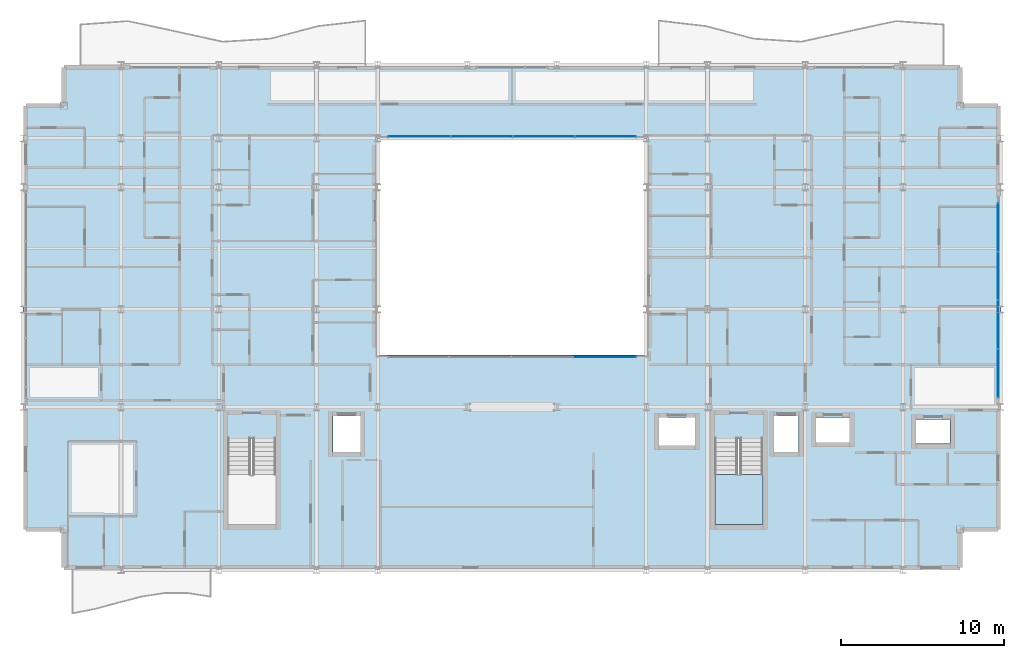
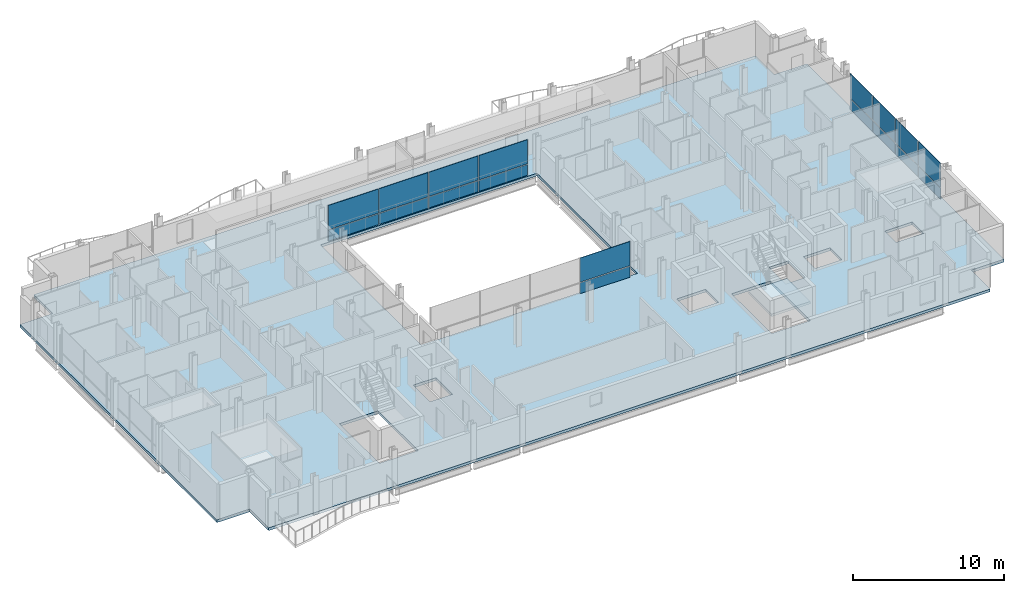
# One storey, part 27 of 41: 18 plates, 2 slabs, 4 elements without a shape of their own.
"""IFC4 building model written with IfcOpenShell, lengths in metres."""

from ifc_helpers import new_model, si_unit, direction, frame, origin, origin_2d, place, context, subcontext, project, spatial, polyline, rectangle, outline, extrude, material, layer, layer_set, type_object, element, aggregate, save


model = new_model("IFC4")

# Units and contexts
model_context = context("Model", 3, precision=1e-05, world=origin(), true_north=direction((0.0, 1.0)))
body_context = subcontext(model_context, "Body", "Model", "MODEL_VIEW")
ifc_project = project(units=[si_unit("LENGTHUNIT", "METRE"), si_unit("AREAUNIT", "SQUARE_METRE"), si_unit("VOLUMEUNIT", "CUBIC_METRE"), si_unit("PLANEANGLEUNIT", "RADIAN"), si_unit("MASSUNIT", "GRAM", prefix="KILO")], contexts=[model_context])

# Site, building, storey
site_placement = place(None, origin())
site = spatial("IfcSite", under=ifc_project, at=site_placement, CompositionType="ELEMENT")
building_placement = place(site_placement, origin())
building = spatial("IfcBuilding", under=site, at=building_placement, Name="Brevholm Reach", CompositionType="ELEMENT")
storey_placement = place(building_placement, frame((0.0, 0.0, 100.39990234375)))
storey = spatial("IfcBuildingStorey", under=building, at=storey_placement, Name="L29", CompositionType="ELEMENT", Elevation=100.39990234375)

# Curtain wall, plates
ifc_material_1 = material(Name="Dark Anodised Aluminium 6063-T6 and Solar-Control Glass", Category="aluminium")
ifc_layer_1 = layer(ifc_material_1, 0.14990234375)
ifc_layer_set_1 = layer_set([ifc_layer_1], Name="Dark Anodised Aluminium 6063-T6 and Solar-Control Glass")
curtain_wall_type_1 = type_object("IfcCurtainWallType", Name="CW-01", PredefinedType="NOTDEFINED", material=ifc_layer_set_1)
curtain_wall_1_placement = place(storey_placement, origin())
curtain_wall_1 = element("IfcCurtainWall", 1, at=curtain_wall_1_placement, inside=storey, type_object=curtain_wall_type_1, Name="L29 Curtain Wall CW-01", PredefinedType="NOTDEFINED")
ifc_material_2 = material(Name="Dark Solar-Control Double-Glazed IGU Glass", Category="glass")
ifc_layer_2 = layer(ifc_material_2, 0.028076171875)
ifc_layer_set_2 = layer_set([ifc_layer_2], Name="Dark Solar-Control Double-Glazed IGU Glass")
plate_type_1 = type_object("IfcPlateType", Name="CWP-GLZ-28", PredefinedType="CURTAIN_PANEL", material=ifc_layer_set_2)
plate_1_placement = place(storey_placement, frame((59.85009765625, 12.066162109375, 0.0), z_axis=(0.0, 0.0, 1.0), x_axis=(0.0, 1.0, 0.0)))
plate_1 = element("IfcPlate", 2, at=plate_1_placement, type_object=plate_type_1, Name="CP-01 Glazing Panel 1.1", PredefinedType="CURTAIN_PANEL", context=body_context, shape_type="SweptSolid", body=[
    extrude(rectangle(XDim=2.902587890625, YDim=0.028076171875, at=origin_2d()), origin(), (0.0, 0.0, 1.0), 0.867431640625),
])
plate_2_placement = place(storey_placement, frame((59.85009765625, 12.066162109375, 0.9326171875), z_axis=(0.0, 0.0, 1.0), x_axis=(0.0, 1.0, 0.0)))
plate_2 = element("IfcPlate", 3, at=plate_2_placement, type_object=plate_type_1, Name="CP-01 Glazing Panel 1.2", PredefinedType="CURTAIN_PANEL", context=body_context, shape_type="SweptSolid", body=[
    extrude(rectangle(XDim=2.902587890625, YDim=0.028076171875, at=origin_2d()), origin(), (0.0, 0.0, 1.0), 1.947509765625),
])
plate_3_placement = place(storey_placement, frame((59.85009765625, 15.050048828125, 0.0), z_axis=(0.0, 0.0, 1.0), x_axis=(0.0, 1.0, 0.0)))
plate_3 = element("IfcPlate", 4, at=plate_3_placement, type_object=plate_type_1, Name="CP-01 Glazing Panel 2.1", PredefinedType="CURTAIN_PANEL", context=body_context, shape_type="SweptSolid", body=[
    extrude(rectangle(XDim=2.93505859375, YDim=0.028076171875, at=origin_2d()), origin(), (0.0, 0.0, 1.0), 0.867431640625),
])
plate_4_placement = place(storey_placement, frame((59.85009765625, 15.050048828125, 0.9326171875), z_axis=(0.0, 0.0, 1.0), x_axis=(0.0, 1.0, 0.0)))
plate_4 = element("IfcPlate", 5, at=plate_4_placement, type_object=plate_type_1, Name="CP-01 Glazing Panel 2.2", PredefinedType="CURTAIN_PANEL", context=body_context, shape_type="SweptSolid", body=[
    extrude(rectangle(XDim=2.93505859375, YDim=0.028076171875, at=origin_2d()), origin(), (0.0, 0.0, 1.0), 1.947509765625),
])
plate_5_placement = place(storey_placement, frame((59.85009765625, 18.050048828125, 0.0), z_axis=(0.0, 0.0, 1.0), x_axis=(0.0, 1.0, 0.0)))
plate_5 = element("IfcPlate", 6, at=plate_5_placement, type_object=plate_type_1, Name="CP-01 Glazing Panel 3.1", PredefinedType="CURTAIN_PANEL", context=body_context, shape_type="SweptSolid", body=[
    extrude(rectangle(XDim=2.93505859375, YDim=0.028076171875, at=origin_2d()), origin(), (0.0, 0.0, 1.0), 0.867431640625),
])
plate_6_placement = place(storey_placement, frame((59.85009765625, 18.050048828125, 0.9326171875), z_axis=(0.0, 0.0, 1.0), x_axis=(0.0, 1.0, 0.0)))
plate_6 = element("IfcPlate", 7, at=plate_6_placement, type_object=plate_type_1, Name="CP-01 Glazing Panel 3.2", PredefinedType="CURTAIN_PANEL", context=body_context, shape_type="SweptSolid", body=[
    extrude(rectangle(XDim=2.93505859375, YDim=0.028076171875, at=origin_2d()), origin(), (0.0, 0.0, 1.0), 1.947509765625),
])
plate_7_placement = place(storey_placement, frame((59.85009765625, 21.050048828125, 0.0), z_axis=(0.0, 0.0, 1.0), x_axis=(0.0, 1.0, 0.0)))
plate_7 = element("IfcPlate", 8, at=plate_7_placement, type_object=plate_type_1, Name="CP-01 Glazing Panel 4.1", PredefinedType="CURTAIN_PANEL", context=body_context, shape_type="SweptSolid", body=[
    extrude(rectangle(XDim=2.93505859375, YDim=0.028076171875, at=origin_2d()), origin(), (0.0, 0.0, 1.0), 0.867431640625),
])
plate_8_placement = place(storey_placement, frame((59.85009765625, 21.050048828125, 0.9326171875), z_axis=(0.0, 0.0, 1.0), x_axis=(0.0, 1.0, 0.0)))
plate_8 = element("IfcPlate", 9, at=plate_8_placement, type_object=plate_type_1, Name="CP-01 Glazing Panel 4.2", PredefinedType="CURTAIN_PANEL", context=body_context, shape_type="SweptSolid", body=[
    extrude(rectangle(XDim=2.93505859375, YDim=0.028076171875, at=origin_2d()), origin(), (0.0, 0.0, 1.0), 1.947509765625),
])
aggregate(curtain_wall_1, [plate_1, plate_2, plate_3, plate_4, plate_5, plate_6, plate_7, plate_8])

ifc_material_3 = material(Name="Dark Anodised Aluminium 6063-T6 and Solar-Control Glass", Category="aluminium")
ifc_layer_3 = layer(ifc_material_3, 0.139892578125)
ifc_layer_set_3 = layer_set([ifc_layer_3], Name="Dark Anodised Aluminium 6063-T6 and Solar-Control Glass")
curtain_wall_type_2 = type_object("IfcCurtainWallType", Name="CW-02", PredefinedType="NOTDEFINED", material=ifc_layer_set_3)
curtain_wall_2_placement = place(storey_placement, origin())
curtain_wall_2 = element("IfcCurtainWall", 10, at=curtain_wall_2_placement, inside=storey, type_object=curtain_wall_type_2, Name="L29 Curtain Wall CW-02", PredefinedType="NOTDEFINED")
ifc_material_4 = material(Name="Low-Iron Laminated Acoustic Glass", Category="glass")
ifc_layer_4 = layer(ifc_material_4, 0.035888671875)
ifc_layer_set_4 = layer_set([ifc_layer_4], Name="Low-Iron Laminated Acoustic Glass")
plate_type_2 = type_object("IfcPlateType", Name="CWP-GLZ-36", PredefinedType="CURTAIN_PANEL", material=ifc_layer_set_4)
plate_9_placement = place(storey_placement, frame((35.68505859375, 13.080078125, 0.0), z_axis=(0.0, 0.0, 1.0), x_axis=(1.0, 0.0, 0.0)))
plate_9 = element("IfcPlate", 11, at=plate_9_placement, type_object=plate_type_2, Name="CP-02 Glazing Panel 4.1", PredefinedType="CURTAIN_PANEL", context=body_context, shape_type="SweptSolid", body=[
    extrude(rectangle(XDim=3.81005859375, YDim=0.035888671875, at=origin_2d()), origin(), (0.0, 0.0, 1.0), 0.8701171875),
])
plate_10_placement = place(storey_placement, frame((35.68505859375, 13.080078125, 0.93017578125), z_axis=(0.0, 0.0, 1.0), x_axis=(1.0, 0.0, 0.0)))
plate_10 = element("IfcPlate", 12, at=plate_10_placement, type_object=plate_type_2, Name="CP-02 Glazing Panel 4.2", PredefinedType="CURTAIN_PANEL", context=body_context, shape_type="SweptSolid", body=[
    extrude(rectangle(XDim=3.81005859375, YDim=0.035888671875, at=origin_2d()), origin(), (0.0, 0.0, 1.0), 1.949951171875),
])
aggregate(curtain_wall_2, [plate_9, plate_10])

curtain_wall_3_placement = place(storey_placement, origin())
curtain_wall_3 = element("IfcCurtainWall", 13, at=curtain_wall_3_placement, inside=storey, type_object=curtain_wall_type_2, Name="L29 Curtain Wall CW-02", PredefinedType="NOTDEFINED")
plate_11_placement = place(storey_placement, frame((35.735107421875, 26.6201171875, 0.0), z_axis=(0.0, 0.0, 1.0), x_axis=(-1.0, 0.0, 0.0)))
plate_11 = element("IfcPlate", 14, at=plate_11_placement, type_object=plate_type_2, Name="CP-02 Glazing Panel 1.1", PredefinedType="CURTAIN_PANEL", context=body_context, shape_type="SweptSolid", body=[
    extrude(rectangle(XDim=3.7099609375, YDim=0.035888671875, at=origin_2d()), origin(), (0.0, 0.0, 1.0), 0.8701171875),
])
plate_12_placement = place(storey_placement, frame((35.735107421875, 26.6201171875, 0.93017578125), z_axis=(0.0, 0.0, 1.0), x_axis=(-1.0, 0.0, 0.0)))
plate_12 = element("IfcPlate", 15, at=plate_12_placement, type_object=plate_type_2, Name="CP-02 Glazing Panel 1.2", PredefinedType="CURTAIN_PANEL", context=body_context, shape_type="SweptSolid", body=[
    extrude(rectangle(XDim=3.7099609375, YDim=0.035888671875, at=origin_2d()), origin(), (0.0, 0.0, 1.0), 1.949951171875),
])
plate_13_placement = place(storey_placement, frame((31.949951171875, 26.6201171875, 0.0), z_axis=(0.0, 0.0, 1.0), x_axis=(-1.0, 0.0, 0.0)))
plate_13 = element("IfcPlate", 16, at=plate_13_placement, type_object=plate_type_2, Name="CP-02 Glazing Panel 2.1", PredefinedType="CURTAIN_PANEL", context=body_context, shape_type="SweptSolid", body=[
    extrude(rectangle(XDim=3.739990234375, YDim=0.035888671875, at=origin_2d()), origin(), (0.0, 0.0, 1.0), 0.8701171875),
])
plate_14_placement = place(storey_placement, frame((31.949951171875, 26.6201171875, 0.93017578125), z_axis=(0.0, 0.0, 1.0), x_axis=(-1.0, 0.0, 0.0)))
plate_14 = element("IfcPlate", 17, at=plate_14_placement, type_object=plate_type_2, Name="CP-02 Glazing Panel 2.2", PredefinedType="CURTAIN_PANEL", context=body_context, shape_type="SweptSolid", body=[
    extrude(rectangle(XDim=3.739990234375, YDim=0.035888671875, at=origin_2d()), origin(), (0.0, 0.0, 1.0), 1.949951171875),
])
plate_15_placement = place(storey_placement, frame((28.14990234375, 26.6201171875, 0.0), z_axis=(0.0, 0.0, 1.0), x_axis=(-1.0, 0.0, 0.0)))
plate_15 = element("IfcPlate", 18, at=plate_15_placement, type_object=plate_type_2, Name="CP-02 Glazing Panel 3.1", PredefinedType="CURTAIN_PANEL", context=body_context, shape_type="SweptSolid", body=[
    extrude(rectangle(XDim=3.739990234375, YDim=0.035888671875, at=origin_2d()), origin(), (0.0, 0.0, 1.0), 0.8701171875),
])
plate_16_placement = place(storey_placement, frame((28.14990234375, 26.6201171875, 0.93017578125), z_axis=(0.0, 0.0, 1.0), x_axis=(-1.0, 0.0, 0.0)))
plate_16 = element("IfcPlate", 19, at=plate_16_placement, type_object=plate_type_2, Name="CP-02 Glazing Panel 3.2", PredefinedType="CURTAIN_PANEL", context=body_context, shape_type="SweptSolid", body=[
    extrude(rectangle(XDim=3.739990234375, YDim=0.035888671875, at=origin_2d()), origin(), (0.0, 0.0, 1.0), 1.949951171875),
])
plate_17_placement = place(storey_placement, frame((24.31494140625, 26.6201171875, 0.0), z_axis=(0.0, 0.0, 1.0), x_axis=(-1.0, 0.0, 0.0)))
plate_17 = element("IfcPlate", 20, at=plate_17_placement, type_object=plate_type_2, Name="CP-02 Glazing Panel 4.1", PredefinedType="CURTAIN_PANEL", context=body_context, shape_type="SweptSolid", body=[
    extrude(rectangle(XDim=3.81005859375, YDim=0.035888671875, at=origin_2d()), origin(), (0.0, 0.0, 1.0), 0.8701171875),
])
plate_18_placement = place(storey_placement, frame((24.31494140625, 26.6201171875, 0.93017578125), z_axis=(0.0, 0.0, 1.0), x_axis=(-1.0, 0.0, 0.0)))
plate_18 = element("IfcPlate", 21, at=plate_18_placement, type_object=plate_type_2, Name="CP-02 Glazing Panel 4.2", PredefinedType="CURTAIN_PANEL", context=body_context, shape_type="SweptSolid", body=[
    extrude(rectangle(XDim=3.81005859375, YDim=0.035888671875, at=origin_2d()), origin(), (0.0, 0.0, 1.0), 1.949951171875),
])
aggregate(curtain_wall_3, [plate_11, plate_12, plate_13, plate_14, plate_15, plate_16, plate_17, plate_18])

# Slab
ifc_material_5 = material(Name="Concrete C40/50", Category="concrete")
ifc_layer_5 = layer(ifc_material_5, 0.219970703125)
ifc_layer_set_5 = layer_set([ifc_layer_5], Name="Concrete C40/50")
slab_type_1 = type_object("IfcSlabType", Name="SLB-FL-220", PredefinedType="FLOOR", material=ifc_layer_set_5)
slab_1_placement = place(storey_placement, frame((0.0, 0.0, -0.219970703125)))
element("IfcSlab", 22, at=slab_1_placement, inside=storey, type_object=slab_type_1, Name="L29 Suspended Floor Slab (main)", PredefinedType="FLOOR", context=body_context, shape_type="SweptSolid", body=[
    extrude(outline(polyline([(2.5, 0.0), (57.5, 0.0), (57.5, 2.5), (60.0, 2.5), (60.0, 28.5), (57.5, 28.5), (57.5, 31.0), (2.5, 31.0), (2.5, 28.5), (0.0, 28.5), (0.0, 2.5), (2.5, 2.5), (2.5, 0.0)]), holes=[polyline([(21.75, 13.199951171875), (38.25, 13.199951171875), (38.25, 26.5), (21.75, 26.5), (21.75, 13.199951171875)]), polyline([(12.550048828125, 2.780029296875), (15.5, 2.780029296875), (15.5, 8.044921875), (12.550048828125, 8.044921875), (12.550048828125, 2.780029296875)]), polyline([(42.449951171875, 2.780029296875), (45.39990234375, 2.780029296875), (45.39990234375, 8.044921875), (42.449951171875, 8.044921875), (42.449951171875, 2.780029296875)]), polyline([(19.0, 7.25), (20.699951171875, 7.25), (20.699951171875, 9.449951171875), (19.0, 9.449951171875), (19.0, 7.25)]), polyline([(46.10009765625, 7.25), (47.60009765625, 7.25), (47.60009765625, 9.449951171875), (46.10009765625, 9.449951171875), (46.10009765625, 7.25)]), polyline([(48.675048828125, 7.824951171875), (50.72509765625, 7.824951171875), (50.72509765625, 9.375), (48.675048828125, 9.375), (48.675048828125, 7.824951171875)]), polyline([(54.800048828125, 7.75), (56.89990234375, 7.75), (56.89990234375, 9.25), (54.800048828125, 9.25), (54.800048828125, 7.75)]), polyline([(39.02001953125, 7.64990234375), (41.219970703125, 7.64990234375), (41.219970703125, 9.35009765625), (39.02001953125, 9.35009765625), (39.02001953125, 7.64990234375)])]), origin(), (0.0, 0.0, 1.0), 0.219970703125),
])

# Stair, slab
ifc_material_6 = material(Name="Precast Concrete C40/50", Category="concrete")
stair_type = type_object("IfcStairType", Name="STR-ESC-1400", PredefinedType="DOUBLE_RETURN_STAIR", material=ifc_material_6)
stair_placement = place(storey_placement, origin())
stair = element("IfcStair", 23, at=stair_placement, inside=storey, type_object=stair_type, Name="L29 ST-2", PredefinedType="DOUBLE_RETURN_STAIR")
ifc_material_7 = material(Name="Concrete C40/50", Category="concrete")
ifc_layer_6 = layer(ifc_material_7, 0.199951171875)
ifc_layer_set_6 = layer_set([ifc_layer_6], Name="Concrete C40/50")
slab_type_2 = type_object("IfcSlabType", Name="SLB-LND-200", PredefinedType="LANDING", material=ifc_layer_set_6)
slab_2_placement = place(storey_placement, frame((0.0, 0.0, 1.35009765625)))
slab_2 = element("IfcSlab", 24, at=slab_2_placement, type_object=slab_type_2, Name="ST-2 landing 1", PredefinedType="LANDING", context=body_context, shape_type="SweptSolid", body=[
    extrude(outline(polyline([(42.449951171875, 5.860107421875), (42.449951171875, 2.780029296875), (45.39990234375, 2.780029296875), (45.39990234375, 5.860107421875), (42.449951171875, 5.860107421875)])), origin(), (0.0, 0.0, 1.0), 0.199951171875),
])
aggregate(stair, [slab_2])

save(model, "model.ifc")
